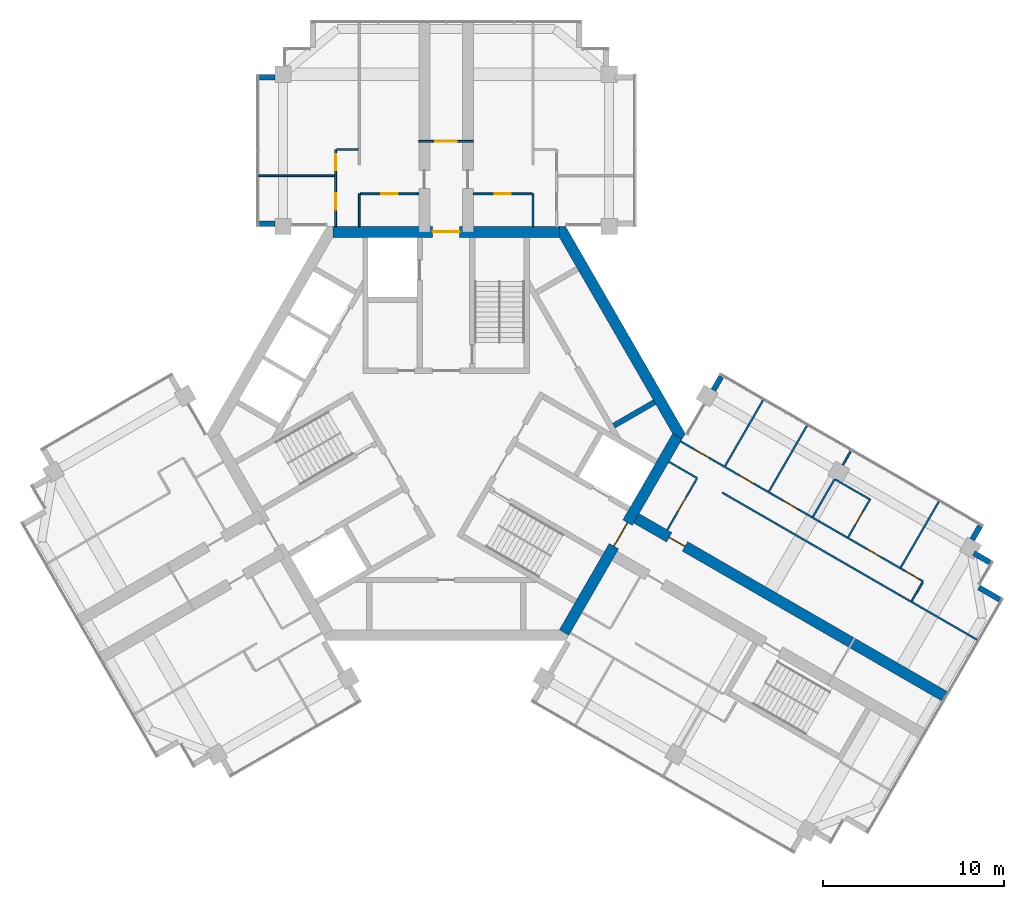
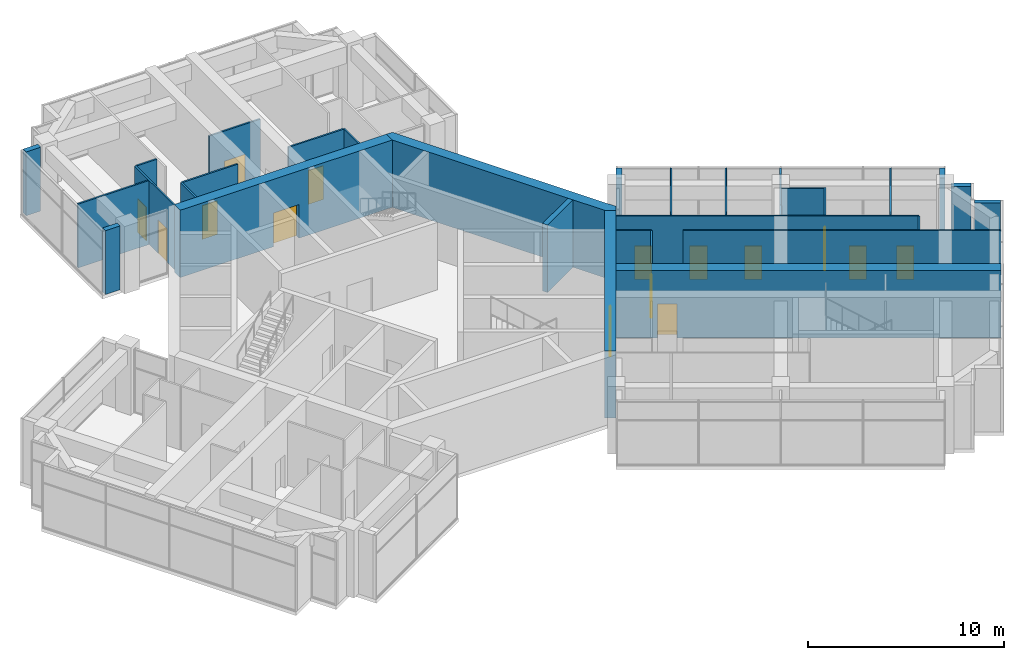
# One storey, part 11 of 13: 31 walls, 15 doors, 15 openings.
"""IFC4 building model written with IfcOpenShell, lengths in metres."""

from ifc_helpers import new_model, si_unit, direction, frame, frame_2d, origin, place, context, subcontext, project, spatial, polyline, rectangle, outline, extrude, material, layer, layer_set, type_object, element, fill, save


model = new_model("IFC4")

# Units and contexts
model_context = context("Model", 3, precision=1e-05, world=origin(), true_north=direction((0.0, 1.0)))
body_context = subcontext(model_context, "Body", "Model", "MODEL_VIEW")
ifc_project = project(units=[si_unit("LENGTHUNIT", "METRE"), si_unit("AREAUNIT", "SQUARE_METRE"), si_unit("VOLUMEUNIT", "CUBIC_METRE"), si_unit("PLANEANGLEUNIT", "RADIAN"), si_unit("MASSUNIT", "GRAM", prefix="KILO")], contexts=[model_context])

# Site, building, storey
site_placement = place(None, origin())
site = spatial("IfcSite", under=ifc_project, at=site_placement, CompositionType="ELEMENT")
building_placement = place(site_placement, origin())
building = spatial("IfcBuilding", under=site, at=building_placement, Name="Impinga Residences", CompositionType="ELEMENT")
storey_placement = place(building_placement, frame((0.0, 0.0, 287.35009765625)))
storey = spatial("IfcBuildingStorey", under=building, at=storey_placement, Name="L72", CompositionType="ELEMENT", Elevation=287.35009765625)

# Wall, opening, door
ifc_material_1 = material(Name="Concrete C60/75", Category="concrete")
ifc_layer_1 = layer(ifc_material_1, 0.60009765625)
ifc_layer_set_1 = layer_set([ifc_layer_1], Name="Concrete C60/75")
wall_type_1 = type_object("IfcWallType", Name="BW3 corridor buttress wall, L46 to L73 600", PredefinedType="SHEAR", material=ifc_layer_set_1)
wall_1_placement = place(storey_placement, frame((10.240234375, -4.526611328125, 0.0), z_axis=(0.0, 0.0, 1.0), x_axis=(0.866025922281, -0.499999101937, 0.0)))
wall_1 = element("IfcWall", 1, at=wall_1_placement, inside=storey, type_object=wall_type_1, Name="Corridor wall BW3 EC L72", PredefinedType="SHEAR", context=body_context, shape_type="SweptSolid", body=[
    extrude(rectangle(XDim=19.93798828125, YDim=0.60009765625, at=frame_2d((9.968994140625, 0.0))), origin(), (0.0, 0.0, 1.0), 4.199951171875),
])
opening_1_placement = place(wall_1_placement, frame((2.39990234375, 0.0, 0.0)))
opening_1 = element("IfcOpeningElement", 2, at=opening_1_placement, cuts=wall_1, Name="Opening D1", PredefinedType="OPENING", context=body_context, shape_type="SweptSolid", body=[
    extrude(rectangle(XDim=1.0, YDim=2.10009765625, at=frame_2d((0.5, 1.050048828125))), frame((0.0, 0.31005859375, 0.0), z_axis=(0.0, -1.0, 0.0), x_axis=(1.0, 0.0, 0.0)), (0.0, 0.0, 1.0), 0.6201171875),
])
ifc_material_2 = material(Name="Timber door set", Category="wood")
door_type_1 = type_object("IfcDoorType", Name="D1 apartment entrance door 1000x2100", OperationType="SINGLE_SWING_LEFT", PredefinedType="DOOR", material=ifc_material_2)
door_1_placement = place(opening_1_placement, origin())
door_1 = element("IfcDoor", 3, at=door_1_placement, inside=storey, type_object=door_type_1, Name="Apartment L72-EA1 entrance", OperationType="SINGLE_SWING_LEFT", OverallHeight=2.10009765625, OverallWidth=1.0, PredefinedType="DOOR", context=body_context, shape_type="SweptSolid", body=[
    extrude(rectangle(XDim=1.0, YDim=2.10009765625, at=frame_2d((0.5, 1.050048828125))), frame((0.0, 0.02490234375, 0.0), z_axis=(0.0, -1.0, 0.0), x_axis=(1.0, 0.0, 0.0)), (0.0, 0.0, 1.0), 0.050048828125),
])
fill(opening_1, door_1)

ifc_material_3 = material(Name="Concrete blockwork", Category="masonry")
ifc_layer_2 = layer(ifc_material_3, 0.10009765625)
ifc_layer_set_2 = layer_set([ifc_layer_2], Name="CP1 core room partition, blockwork 100")
wall_type_2 = type_object("IfcWallType", Name="CP1 core room partition, blockwork 100", PredefinedType="PARTITIONING", material=ifc_layer_set_2)
wall_2_placement = place(storey_placement, frame((-1.5, 16.131591796875, 0.0), z_axis=(0.0, 0.0, 1.0), x_axis=(1.0, 0.0, 0.0)))
wall_2 = element("IfcWall", 4, at=wall_2_placement, inside=storey, type_object=wall_type_2, Name="Core room partition, blockwork L72:N:LNG", PredefinedType="PARTITIONING", context=body_context, shape_type="SweptSolid", body=[
    extrude(rectangle(XDim=3.0, YDim=0.10009765625, at=frame_2d((1.5, 0.0))), origin(), (0.0, 0.0, 1.0), 3.97998046875),
])
opening_2_placement = place(wall_2_placement, frame((0.89990234375, 0.0, 0.0)))
opening_2 = element("IfcOpeningElement", 5, at=opening_2_placement, cuts=wall_2, Name="Opening D3", PredefinedType="OPENING", context=body_context, shape_type="SweptSolid", body=[
    extrude(rectangle(XDim=1.199951171875, YDim=2.10009765625, at=frame_2d((0.60009765625, 1.050048828125))), frame((0.0, 0.06005859375, 0.0), z_axis=(0.0, -1.0, 0.0), x_axis=(1.0, 0.0, 0.0)), (0.0, 0.0, 1.0), 0.1201171875),
])
door_type_2 = type_object("IfcDoorType", Name="D3 room door, leaf and a half 1200x2100", OperationType="DOUBLE_SWING_LEFT", PredefinedType="DOOR", material=ifc_material_2)
door_2_placement = place(opening_2_placement, origin())
door_2 = element("IfcDoor", 6, at=door_2_placement, inside=storey, type_object=door_type_2, Name="Residents' lounge door N", OperationType="DOUBLE_SWING_LEFT", OverallHeight=2.10009765625, OverallWidth=1.199951171875, PredefinedType="DOOR", context=body_context, shape_type="SweptSolid", body=[
    extrude(rectangle(XDim=1.199951171875, YDim=2.10009765625, at=frame_2d((0.60009765625, 1.050048828125))), frame((0.0, 0.02490234375, 0.0), z_axis=(0.0, -1.0, 0.0), x_axis=(1.0, 0.0, 0.0)), (0.0, 0.0, 1.0), 0.050048828125),
])
fill(opening_2, door_2)

# Walls
ifc_material_4 = material(Name="Stone facing on blockwork", Category="masonry")
ifc_layer_3 = layer(ifc_material_4, 0.300048828125)
ifc_layer_set_3 = layer_set([ifc_layer_3], Name="EW2 external wall, stone facing on blockwork 300")
wall_type_3 = type_object("IfcWallType", Name="EW2 external wall, stone facing on blockwork 300", PredefinedType="SOLIDWALL", material=ifc_layer_set_3)
wall_3_placement = place(storey_placement, frame((29.476806640625, -5.107666015625, 0.0), z_axis=(0.0, 0.0, 1.0), x_axis=(-0.499885902046, -0.866091268248, 0.0)))
element("IfcWall", 7, at=wall_3_placement, inside=storey, type_object=wall_type_3, Name="External wall EW2 L72", PredefinedType="SOLIDWALL", context=body_context, shape_type="SweptSolid", body=[
    extrude(rectangle(XDim=0.862060546875, YDim=0.300048828125, at=frame_2d((0.43115234375, 0.0))), origin(), (0.0, 0.0, 1.0), 3.97998046875),
])
wall_4_placement = place(storey_placement, frame((29.134033203125, -6.6015625, 0.0), z_axis=(0.0, 0.0, 1.0), x_axis=(0.866073420066, -0.499916824138, 0.0)))
element("IfcWall", 8, at=wall_4_placement, inside=storey, type_object=wall_type_3, Name="External wall EW2 L72", PredefinedType="SOLIDWALL", context=body_context, shape_type="SweptSolid", body=[
    extrude(rectangle(XDim=1.014892578125, YDim=0.300048828125, at=frame_2d((0.50732421875, 0.0))), origin(), (0.0, 0.0, 1.0), 3.97998046875),
])
wall_5_placement = place(storey_placement, frame((29.41015625, -8.492919921875, 0.0), z_axis=(0.0, 0.0, 1.0), x_axis=(0.866020521143, -0.500008456887, 0.0)))
element("IfcWall", 9, at=wall_5_placement, inside=storey, type_object=wall_type_3, Name="External wall EW2 L72", PredefinedType="SOLIDWALL", context=body_context, shape_type="SweptSolid", body=[
    extrude(rectangle(XDim=1.330078125, YDim=0.300048828125, at=frame_2d((0.6650390625, 0.0))), origin(), (0.0, 0.0, 1.0), 3.97998046875),
])
for number, where, z_axis, x_axis, name in (
    (10, (-9.452880859375, 11.58154296875, 0.0), (0.0, 0.0, 1.0), (-1.0, 0.0, 0.0), "External wall EW2 L72"),
    (11, (-10.31494140625, 19.681640625, 0.0), (0.0, 0.0, 1.0), (1.0, 0.0, 0.0), "External wall EW2 L72"),
    (12, (14.75634765625, 2.395751953125, 0.0), (0.0, 0.0, 1.0), (0.500098305348, 0.865968639725, 0.0), "External wall EW2 L72"),
):
    element("IfcWall", number, at=place(storey_placement, frame(where, z_axis=z_axis, x_axis=x_axis)), inside=storey, type_object=wall_type_3, Name=name, PredefinedType="SOLIDWALL", context=body_context, shape_type="SweptSolid", body=[
        extrude(rectangle(XDim=0.862060546875, YDim=0.300048828125, at=frame_2d((0.43115234375, 0.0))), origin(), (0.0, 0.0, 1.0), 3.97998046875),
    ])
ifc_material_5 = material(Name="Gypsum board on steel studs", Category="steel")
ifc_layer_4 = layer(ifc_material_5, 0.10009765625)
ifc_layer_set_4 = layer_set([ifc_layer_4], Name="Gypsum board on steel studs")
wall_type_4 = type_object("IfcWallType", Name="IP1 partition 100", PredefinedType="PARTITIONING", material=ifc_layer_set_4)
wall_6_placement = place(storey_placement, frame((-4.800048828125, 11.431640625, 0.0), z_axis=(0.0, 0.0, 1.0), x_axis=(0.0, 1.0, 0.0)))
element("IfcWall", 13, at=wall_6_placement, inside=storey, type_object=wall_type_4, Name="Partition L72-NA1:DIV0", PredefinedType="PARTITIONING", context=body_context, shape_type="SweptSolid", body=[
    extrude(rectangle(XDim=1.7998046875, YDim=0.10009765625, at=frame_2d((0.89990234375, 0.0))), origin(), (0.0, 0.0, 1.0), 3.97998046875),
])

# Wall, openings, doors
wall_7_placement = place(storey_placement, frame((-6.10009765625, 11.431640625, 0.0), z_axis=(0.0, 0.0, 1.0), x_axis=(0.0, 1.0, 0.0)))
wall_7 = element("IfcWall", 14, at=wall_7_placement, inside=storey, type_object=wall_type_4, Name="Partition L72-NA1:STRIP", PredefinedType="PARTITIONING", context=body_context, shape_type="SweptSolid", body=[
    extrude(rectangle(XDim=4.25, YDim=0.10009765625, at=frame_2d((2.125, 0.0))), origin(), (0.0, 0.0, 1.0), 3.97998046875),
])
opening_3_placement = place(wall_7_placement, frame((0.925048828125, 0.0, 0.0)))
opening_3 = element("IfcOpeningElement", 15, at=opening_3_placement, cuts=wall_7, Name="Opening D2", PredefinedType="OPENING", context=body_context, shape_type="SweptSolid", body=[
    extrude(rectangle(XDim=0.89990234375, YDim=2.10009765625, at=frame_2d((0.449951171875, 1.050048828125))), frame((0.0, 0.06005859375, 0.0), z_axis=(0.0, -1.0, 0.0), x_axis=(1.0, 0.0, 0.0)), (0.0, 0.0, 1.0), 0.1201171875),
])
opening_4_placement = place(wall_7_placement, frame((3.10009765625, 0.0, 0.0)))
opening_4 = element("IfcOpeningElement", 16, at=opening_4_placement, cuts=wall_7, Name="Opening D2", PredefinedType="OPENING", context=body_context, shape_type="SweptSolid", body=[
    extrude(rectangle(XDim=0.89990234375, YDim=2.10009765625, at=frame_2d((0.449951171875, 1.050048828125))), frame((0.0, 0.06005859375, 0.0), z_axis=(0.0, -1.0, 0.0), x_axis=(1.0, 0.0, 0.0)), (0.0, 0.0, 1.0), 0.1201171875),
])
door_type_3 = type_object("IfcDoorType", Name="D2 internal door 900x2100", OperationType="SINGLE_SWING_LEFT", PredefinedType="DOOR", material=ifc_material_2)
door_3_placement = place(opening_3_placement, origin())
door_3 = element("IfcDoor", 17, at=door_3_placement, inside=storey, type_object=door_type_3, Name="Apartment L72-NA1 room door", OperationType="SINGLE_SWING_LEFT", OverallHeight=2.10009765625, OverallWidth=0.89990234375, PredefinedType="DOOR", context=body_context, shape_type="SweptSolid", body=[
    extrude(rectangle(XDim=0.89990234375, YDim=2.10009765625, at=frame_2d((0.449951171875, 1.050048828125))), frame((0.0, 0.02490234375, 0.0), z_axis=(0.0, -1.0, 0.0), x_axis=(1.0, 0.0, 0.0)), (0.0, 0.0, 1.0), 0.050048828125),
])
fill(opening_3, door_3)
door_4_placement = place(opening_4_placement, origin())
door_4 = element("IfcDoor", 18, at=door_4_placement, inside=storey, type_object=door_type_3, Name="Apartment L72-NA1 room door", OperationType="SINGLE_SWING_RIGHT", OverallHeight=2.10009765625, OverallWidth=0.89990234375, PredefinedType="DOOR", context=body_context, shape_type="SweptSolid", body=[
    extrude(rectangle(XDim=0.89990234375, YDim=2.10009765625, at=frame_2d((0.449951171875, 1.050048828125))), frame((0.0, 0.02490234375, 0.0), z_axis=(0.0, -1.0, 0.0), x_axis=(1.0, 0.0, 0.0)), (0.0, 0.0, 1.0), 0.050048828125),
])
fill(opening_4, door_4)

# Wall
wall_8_placement = place(storey_placement, frame((-4.85009765625, 15.681640625, 0.0), z_axis=(0.0, 0.0, 1.0), x_axis=(-1.0, 0.0, 0.0)))
element("IfcWall", 19, at=wall_8_placement, inside=storey, type_object=wall_type_4, Name="Partition L72-NA1:SE1", PredefinedType="PARTITIONING", context=body_context, shape_type="SweptSolid", body=[
    extrude(rectangle(XDim=1.199951171875, YDim=0.10009765625, at=frame_2d((0.60009765625, 0.0))), origin(), (0.0, 0.0, 1.0), 3.97998046875),
])

# Wall, opening, door
wall_9_placement = place(storey_placement, frame((-1.5, 13.2314453125, 0.0), z_axis=(0.0, 0.0, 1.0), x_axis=(-1.0, 0.0, 0.0)))
wall_9 = element("IfcWall", 20, at=wall_9_placement, inside=storey, type_object=wall_type_4, Name="Partition L72-NA1:IB1", PredefinedType="PARTITIONING", context=body_context, shape_type="SweptSolid", body=[
    extrude(rectangle(XDim=3.25, YDim=0.10009765625, at=frame_2d((1.625, 0.0))), origin(), (0.0, 0.0, 1.0), 3.97998046875),
])
opening_5_placement = place(wall_9_placement, frame((1.175048828125, 0.0, 0.0)))
opening_5 = element("IfcOpeningElement", 21, at=opening_5_placement, cuts=wall_9, Name="Opening D2", PredefinedType="OPENING", context=body_context, shape_type="SweptSolid", body=[
    extrude(rectangle(XDim=0.89990234375, YDim=2.10009765625, at=frame_2d((0.449951171875, 1.050048828125))), frame((0.0, 0.06005859375, 0.0), z_axis=(0.0, -1.0, 0.0), x_axis=(1.0, 0.0, 0.0)), (0.0, 0.0, 1.0), 0.1201171875),
])
door_5_placement = place(opening_5_placement, origin())
door_5 = element("IfcDoor", 22, at=door_5_placement, inside=storey, type_object=door_type_3, Name="Apartment L72-NA1 bathroom door", OperationType="SINGLE_SWING_LEFT", OverallHeight=2.10009765625, OverallWidth=0.89990234375, PredefinedType="DOOR", context=body_context, shape_type="SweptSolid", body=[
    extrude(rectangle(XDim=0.89990234375, YDim=2.10009765625, at=frame_2d((0.449951171875, 1.050048828125))), frame((0.0, 0.02490234375, 0.0), z_axis=(0.0, -1.0, 0.0), x_axis=(1.0, 0.0, 0.0)), (0.0, 0.0, 1.0), 0.050048828125),
])
fill(opening_5, door_5)

# Walls
wall_10_placement = place(storey_placement, frame((-6.14990234375, 14.2314453125, 0.0), z_axis=(0.0, 0.0, 1.0), x_axis=(-1.0, 0.0, 0.0)))
element("IfcWall", 23, at=wall_10_placement, inside=storey, type_object=wall_type_4, Name="Partition L72-NA1:OB1", PredefinedType="PARTITIONING", context=body_context, shape_type="SweptSolid", body=[
    extrude(rectangle(XDim=4.18701171875, YDim=0.10009765625, at=frame_2d((2.093505859375, 0.0))), origin(), (0.0, 0.0, 1.0), 3.97998046875),
])
wall_11_placement = place(storey_placement, frame((4.800048828125, 11.431640625, 0.0), z_axis=(0.0, 0.0, 1.0), x_axis=(0.0, 1.0, 0.0)))
element("IfcWall", 24, at=wall_11_placement, inside=storey, type_object=wall_type_4, Name="Partition L72-NF1:DIV0", PredefinedType="PARTITIONING", context=body_context, shape_type="SweptSolid", body=[
    extrude(rectangle(XDim=1.7998046875, YDim=0.10009765625, at=frame_2d((0.89990234375, 0.0))), origin(), (0.0, 0.0, 1.0), 3.97998046875),
])

# Wall, opening, door
wall_12_placement = place(storey_placement, frame((1.5, 13.2314453125, 0.0), z_axis=(0.0, 0.0, 1.0), x_axis=(1.0, 0.0, 0.0)))
wall_12 = element("IfcWall", 25, at=wall_12_placement, inside=storey, type_object=wall_type_4, Name="Partition L72-NF1:IB1", PredefinedType="PARTITIONING", context=body_context, shape_type="SweptSolid", body=[
    extrude(rectangle(XDim=3.25, YDim=0.10009765625, at=frame_2d((1.625, 0.0))), origin(), (0.0, 0.0, 1.0), 3.97998046875),
])
opening_6_placement = place(wall_12_placement, frame((1.175048828125, 0.0, 0.0)))
opening_6 = element("IfcOpeningElement", 26, at=opening_6_placement, cuts=wall_12, Name="Opening D2", PredefinedType="OPENING", context=body_context, shape_type="SweptSolid", body=[
    extrude(rectangle(XDim=0.89990234375, YDim=2.10009765625, at=frame_2d((0.449951171875, 1.050048828125))), frame((0.0, 0.06005859375, 0.0), z_axis=(0.0, -1.0, 0.0), x_axis=(1.0, 0.0, 0.0)), (0.0, 0.0, 1.0), 0.1201171875),
])
door_6_placement = place(opening_6_placement, origin())
door_6 = element("IfcDoor", 27, at=door_6_placement, inside=storey, type_object=door_type_3, Name="Apartment L72-NF1 bathroom door", OperationType="SINGLE_SWING_LEFT", OverallHeight=2.10009765625, OverallWidth=0.89990234375, PredefinedType="DOOR", context=body_context, shape_type="SweptSolid", body=[
    extrude(rectangle(XDim=0.89990234375, YDim=2.10009765625, at=frame_2d((0.449951171875, 1.050048828125))), frame((0.0, 0.02490234375, 0.0), z_axis=(0.0, -1.0, 0.0), x_axis=(1.0, 0.0, 0.0)), (0.0, 0.0, 1.0), 0.050048828125),
])
fill(opening_6, door_6)

# Walls
wall_13_placement = place(storey_placement, frame((12.300048828125, -1.558837890625, 0.0), z_axis=(0.0, 0.0, 1.0), x_axis=(0.866047807691, -0.499961193289, 0.0)))
element("IfcWall", 28, at=wall_13_placement, inside=storey, type_object=wall_type_4, Name="Partition L72-EA1:DIV0", PredefinedType="PARTITIONING", context=body_context, shape_type="SweptSolid", body=[
    extrude(rectangle(XDim=1.800048828125, YDim=0.10009765625, at=frame_2d((0.89990234375, 0.0))), origin(), (0.0, 0.0, 1.0), 3.97998046875),
])
wall_14_placement = place(storey_placement, frame((15.244384765625, -3.2587890625, 0.0), z_axis=(0.0, 0.0, 1.0), x_axis=(0.866023082401, -0.500004020733, 0.0)))
element("IfcWall", 29, at=wall_14_placement, inside=storey, type_object=wall_type_4, Name="Partition L72-EA1:DIV1", PredefinedType="PARTITIONING", context=body_context, shape_type="SweptSolid", body=[
    extrude(rectangle(XDim=16.237060546875, YDim=0.10009765625, at=frame_2d((8.11865234375, 0.0))), origin(), (0.0, 0.0, 1.0), 3.97998046875),
])

# Wall, openings, doors
wall_15_placement = place(storey_placement, frame((12.949951171875, -0.43310546875, 0.0), z_axis=(0.0, 0.0, 1.0), x_axis=(0.866030066916, -0.499991923133, 0.0)))
wall_15 = element("IfcWall", 30, at=wall_15_placement, inside=storey, type_object=wall_type_4, Name="Partition L72-EA1:STRIP", PredefinedType="PARTITIONING", context=body_context, shape_type="SweptSolid", body=[
    extrude(rectangle(XDim=15.449951171875, YDim=0.10009765625, at=frame_2d((7.72509765625, 0.0))), origin(), (0.0, 0.0, 1.0), 3.97998046875),
])
opening_7_placement = place(wall_15_placement, frame((0.925048828125, 0.0, 0.0)))
opening_7 = element("IfcOpeningElement", 31, at=opening_7_placement, cuts=wall_15, Name="Opening D2", PredefinedType="OPENING", context=body_context, shape_type="SweptSolid", body=[
    extrude(rectangle(XDim=0.89990234375, YDim=2.10009765625, at=frame_2d((0.449951171875, 1.050048828125))), frame((0.0, 0.06005859375, 0.0), z_axis=(0.0, -1.0, 0.0), x_axis=(1.0, 0.0, 0.0)), (0.0, 0.0, 1.0), 0.1201171875),
])
opening_8_placement = place(wall_15_placement, frame((3.75, 0.0, 0.0)))
opening_8 = element("IfcOpeningElement", 32, at=opening_8_placement, cuts=wall_15, Name="Opening D2", PredefinedType="OPENING", context=body_context, shape_type="SweptSolid", body=[
    extrude(rectangle(XDim=0.89990234375, YDim=2.10009765625, at=frame_2d((0.449951171875, 1.050048828125))), frame((0.0, 0.06005859375, 0.0), z_axis=(0.0, -1.0, 0.0), x_axis=(1.0, 0.0, 0.0)), (0.0, 0.0, 1.0), 0.1201171875),
])
opening_9_placement = place(wall_15_placement, frame((6.550048828125, 0.0, 0.0)))
opening_9 = element("IfcOpeningElement", 33, at=opening_9_placement, cuts=wall_15, Name="Opening D2", PredefinedType="OPENING", context=body_context, shape_type="SweptSolid", body=[
    extrude(rectangle(XDim=0.89990234375, YDim=2.10009765625, at=frame_2d((0.449951171875, 1.050048828125))), frame((0.0, 0.06005859375, 0.0), z_axis=(0.0, -1.0, 0.0), x_axis=(1.0, 0.0, 0.0)), (0.0, 0.0, 1.0), 0.1201171875),
])
opening_10_placement = place(wall_15_placement, frame((11.875, 0.0, 0.0)))
opening_10 = element("IfcOpeningElement", 34, at=opening_10_placement, cuts=wall_15, Name="Opening D2", PredefinedType="OPENING", context=body_context, shape_type="SweptSolid", body=[
    extrude(rectangle(XDim=0.89990234375, YDim=2.10009765625, at=frame_2d((0.449951171875, 1.050048828125))), frame((0.0, 0.06005859375, 0.0), z_axis=(0.0, -1.0, 0.0), x_axis=(1.0, 0.0, 0.0)), (0.0, 0.0, 1.0), 0.1201171875),
])
opening_11_placement = place(wall_15_placement, frame((14.300048828125, 0.0, 0.0)))
opening_11 = element("IfcOpeningElement", 35, at=opening_11_placement, cuts=wall_15, Name="Opening D2", PredefinedType="OPENING", context=body_context, shape_type="SweptSolid", body=[
    extrude(rectangle(XDim=0.89990234375, YDim=2.10009765625, at=frame_2d((0.449951171875, 1.050048828125))), frame((0.0, 0.06005859375, 0.0), z_axis=(0.0, -1.0, 0.0), x_axis=(1.0, 0.0, 0.0)), (0.0, 0.0, 1.0), 0.1201171875),
])
door_7_placement = place(opening_7_placement, origin())
door_7 = element("IfcDoor", 36, at=door_7_placement, inside=storey, type_object=door_type_3, Name="Apartment L72-EA1 room door", OperationType="SINGLE_SWING_LEFT", OverallHeight=2.10009765625, OverallWidth=0.89990234375, PredefinedType="DOOR", context=body_context, shape_type="SweptSolid", body=[
    extrude(rectangle(XDim=0.89990234375, YDim=2.10009765625, at=frame_2d((0.449951171875, 1.050048828125))), frame((0.0, 0.02490234375, 0.0), z_axis=(0.0, -1.0, 0.0), x_axis=(1.0, 0.0, 0.0)), (0.0, 0.0, 1.0), 0.050048828125),
])
fill(opening_7, door_7)
door_8_placement = place(opening_8_placement, origin())
door_8 = element("IfcDoor", 37, at=door_8_placement, inside=storey, type_object=door_type_3, Name="Apartment L72-EA1 room door", OperationType="SINGLE_SWING_LEFT", OverallHeight=2.10009765625, OverallWidth=0.89990234375, PredefinedType="DOOR", context=body_context, shape_type="SweptSolid", body=[
    extrude(rectangle(XDim=0.89990234375, YDim=2.10009765625, at=frame_2d((0.449951171875, 1.050048828125))), frame((0.0, 0.02490234375, 0.0), z_axis=(0.0, -1.0, 0.0), x_axis=(1.0, 0.0, 0.0)), (0.0, 0.0, 1.0), 0.050048828125),
])
fill(opening_8, door_8)
door_9_placement = place(opening_9_placement, origin())
door_9 = element("IfcDoor", 38, at=door_9_placement, inside=storey, type_object=door_type_3, Name="Apartment L72-EA1 room door", OperationType="SINGLE_SWING_LEFT", OverallHeight=2.10009765625, OverallWidth=0.89990234375, PredefinedType="DOOR", context=body_context, shape_type="SweptSolid", body=[
    extrude(rectangle(XDim=0.89990234375, YDim=2.10009765625, at=frame_2d((0.449951171875, 1.050048828125))), frame((0.0, 0.02490234375, 0.0), z_axis=(0.0, -1.0, 0.0), x_axis=(1.0, 0.0, 0.0)), (0.0, 0.0, 1.0), 0.050048828125),
])
fill(opening_9, door_9)
door_10_placement = place(opening_10_placement, origin())
door_10 = element("IfcDoor", 39, at=door_10_placement, inside=storey, type_object=door_type_3, Name="Apartment L72-EA1 room door", OperationType="SINGLE_SWING_RIGHT", OverallHeight=2.10009765625, OverallWidth=0.89990234375, PredefinedType="DOOR", context=body_context, shape_type="SweptSolid", body=[
    extrude(rectangle(XDim=0.89990234375, YDim=2.10009765625, at=frame_2d((0.449951171875, 1.050048828125))), frame((0.0, 0.02490234375, 0.0), z_axis=(0.0, -1.0, 0.0), x_axis=(1.0, 0.0, 0.0)), (0.0, 0.0, 1.0), 0.050048828125),
])
fill(opening_10, door_10)
door_11_placement = place(opening_11_placement, origin())
door_11 = element("IfcDoor", 40, at=door_11_placement, inside=storey, type_object=door_type_3, Name="Apartment L72-EA1 room door", OperationType="SINGLE_SWING_RIGHT", OverallHeight=2.10009765625, OverallWidth=0.89990234375, PredefinedType="DOOR", context=body_context, shape_type="SweptSolid", body=[
    extrude(rectangle(XDim=0.89990234375, YDim=2.10009765625, at=frame_2d((0.449951171875, 1.050048828125))), frame((0.0, 0.02490234375, 0.0), z_axis=(0.0, -1.0, 0.0), x_axis=(1.0, 0.0, 0.0)), (0.0, 0.0, 1.0), 0.050048828125),
])
fill(opening_11, door_11)

# Wall
wall_16_placement = place(storey_placement, frame((25.705078125, -9.240478515625, 0.0), z_axis=(0.0, 0.0, 1.0), x_axis=(0.50012165622, 0.865955154139, 0.0)))
element("IfcWall", 41, at=wall_16_placement, inside=storey, type_object=wall_type_4, Name="Partition L72-EA1:SE1", PredefinedType="PARTITIONING", context=body_context, shape_type="SweptSolid", body=[
    extrude(rectangle(XDim=1.199951171875, YDim=0.10009765625, at=frame_2d((0.60009765625, 0.0))), origin(), (0.0, 0.0, 1.0), 3.97998046875),
])

# Wall, opening, door
wall_17_placement = place(storey_placement, frame((12.208740234375, -5.316650390625, 0.0), z_axis=(0.0, 0.0, 1.0), x_axis=(0.500017246033, 0.866015446554, 0.0)))
wall_17 = element("IfcWall", 42, at=wall_17_placement, inside=storey, type_object=wall_type_4, Name="Partition L72-EA1:IB1", PredefinedType="PARTITIONING", context=body_context, shape_type="SweptSolid", body=[
    extrude(rectangle(XDim=3.25, YDim=0.10009765625, at=frame_2d((1.625, 0.0))), origin(), (0.0, 0.0, 1.0), 3.97998046875),
])
opening_12_placement = place(wall_17_placement, frame((1.175048828125, 0.0, 0.0)))
opening_12 = element("IfcOpeningElement", 43, at=opening_12_placement, cuts=wall_17, Name="Opening D2", PredefinedType="OPENING", context=body_context, shape_type="SweptSolid", body=[
    extrude(rectangle(XDim=0.89990234375, YDim=2.10009765625, at=frame_2d((0.449951171875, 1.050048828125))), frame((0.0, 0.06005859375, 0.0), z_axis=(0.0, -1.0, 0.0), x_axis=(1.0, 0.0, 0.0)), (0.0, 0.0, 1.0), 0.1201171875),
])
door_12_placement = place(opening_12_placement, origin())
door_12 = element("IfcDoor", 44, at=door_12_placement, inside=storey, type_object=door_type_3, Name="Apartment L72-EA1 bathroom door", OperationType="SINGLE_SWING_LEFT", OverallHeight=2.10009765625, OverallWidth=0.89990234375, PredefinedType="DOOR", context=body_context, shape_type="SweptSolid", body=[
    extrude(rectangle(XDim=0.89990234375, YDim=2.10009765625, at=frame_2d((0.449951171875, 1.050048828125))), frame((0.0, 0.02490234375, 0.0), z_axis=(0.0, -1.0, 0.0), x_axis=(1.0, 0.0, 0.0)), (0.0, 0.0, 1.0), 0.050048828125),
])
fill(opening_12, door_12)

# Walls
wall_18_placement = place(storey_placement, frame((15.39990234375, -1.789794921875, 0.0), z_axis=(0.0, 0.0, 1.0), x_axis=(0.499983227221, 0.866035087336, 0.0)))
element("IfcWall", 45, at=wall_18_placement, inside=storey, type_object=wall_type_4, Name="Partition L72-EA1:OB1", PredefinedType="PARTITIONING", context=body_context, shape_type="SweptSolid", body=[
    extrude(rectangle(XDim=4.187255859375, YDim=0.10009765625, at=frame_2d((2.09375, 0.0))), origin(), (0.0, 0.0, 1.0), 3.97998046875),
])
wall_19_placement = place(storey_placement, frame((17.82470703125, -3.189697265625, 0.0), z_axis=(0.0, 0.0, 1.0), x_axis=(0.500008475426, 0.86602051044, 0.0)))
element("IfcWall", 46, at=wall_19_placement, inside=storey, type_object=wall_type_4, Name="Partition L72-EA1:OB2", PredefinedType="PARTITIONING", context=body_context, shape_type="SweptSolid", body=[
    extrude(rectangle(XDim=4.18701171875, YDim=0.10009765625, at=frame_2d((2.093505859375, 0.0))), origin(), (0.0, 0.0, 1.0), 3.97998046875),
])
wall_20_placement = place(storey_placement, frame((20.24951171875, -4.589599609375, 0.0), z_axis=(0.0, 0.0, 1.0), x_axis=(0.500077600433, 0.865980596518, 0.0)))
element("IfcWall", 47, at=wall_20_placement, inside=storey, type_object=wall_type_4, Name="Partition L72-EA1:OB3", PredefinedType="PARTITIONING", context=body_context, shape_type="SweptSolid", body=[
    extrude(rectangle(XDim=2.39990234375, YDim=0.10009765625, at=frame_2d((1.199951171875, 0.0))), origin(), (0.0, 0.0, 1.0), 2.929931640625),
])
wall_21_placement = place(storey_placement, frame((21.899658203125, -1.73193359375, 0.0), z_axis=(0.0, 0.0, 1.0), x_axis=(0.499803706212, 0.866138704398, 0.0)))
element("IfcWall", 48, at=wall_21_placement, inside=storey, type_object=wall_type_4, Name="Partition L72-EA1:OB3b", PredefinedType="PARTITIONING", context=body_context, shape_type="SweptSolid", body=[
    extrude(rectangle(XDim=0.866943359375, YDim=0.10009765625, at=frame_2d((0.43359375, 0.0))), origin(), (0.0, 0.0, 1.0), 3.97998046875),
])
wall_22_placement = place(storey_placement, frame((25.099365234375, -7.3896484375, 0.0), z_axis=(0.0, 0.0, 1.0), x_axis=(0.500008475426, 0.86602051044, 0.0)))
element("IfcWall", 49, at=wall_22_placement, inside=storey, type_object=wall_type_4, Name="Partition L72-EA1:OB4", PredefinedType="PARTITIONING", context=body_context, shape_type="SweptSolid", body=[
    extrude(rectangle(XDim=4.18701171875, YDim=0.10009765625, at=frame_2d((2.093505859375, 0.0))), origin(), (0.0, 0.0, 1.0), 3.97998046875),
])

# Wall, opening, door
wall_23_placement = place(storey_placement, frame((22.1982421875, -5.714599609375, 0.0), z_axis=(0.0, 0.0, 1.0), x_axis=(0.499987006516, 0.866032905446, 0.0)))
wall_23 = element("IfcWall", 50, at=wall_23_placement, inside=storey, type_object=wall_type_4, Name="Partition L72-EA1:EN1", PredefinedType="PARTITIONING", context=body_context, shape_type="SweptSolid", body=[
    extrude(rectangle(XDim=2.44970703125, YDim=0.10009765625, at=frame_2d((1.224853515625, 0.0))), origin(), (0.0, 0.0, 1.0), 3.97998046875),
])
opening_13_placement = place(wall_23_placement, frame((0.75, 0.0, 0.0)))
opening_13 = element("IfcOpeningElement", 51, at=opening_13_placement, cuts=wall_23, Name="Opening D2", PredefinedType="OPENING", context=body_context, shape_type="SweptSolid", body=[
    extrude(rectangle(XDim=0.89990234375, YDim=2.10009765625, at=frame_2d((0.449951171875, 1.050048828125))), frame((0.0, 0.06005859375, 0.0), z_axis=(0.0, -1.0, 0.0), x_axis=(1.0, 0.0, 0.0)), (0.0, 0.0, 1.0), 0.1201171875),
])
door_13_placement = place(opening_13_placement, origin())
door_13 = element("IfcDoor", 52, at=door_13_placement, inside=storey, type_object=door_type_3, Name="Apartment L72-EA1 en-suite door", OperationType="SINGLE_SWING_LEFT", OverallHeight=2.10009765625, OverallWidth=0.89990234375, PredefinedType="DOOR", context=body_context, shape_type="SweptSolid", body=[
    extrude(rectangle(XDim=0.89990234375, YDim=2.10009765625, at=frame_2d((0.449951171875, 1.050048828125))), frame((0.0, 0.02490234375, 0.0), z_axis=(0.0, -1.0, 0.0), x_axis=(1.0, 0.0, 0.0)), (0.0, 0.0, 1.0), 0.050048828125),
])
fill(opening_13, door_13)

# Wall
wall_24_placement = place(storey_placement, frame((21.492919921875, -2.5361328125, 0.0), z_axis=(0.0, 0.0, 1.0), x_axis=(0.865998386012, -0.500046793234, 0.0)))
element("IfcWall", 53, at=wall_24_placement, inside=storey, type_object=wall_type_4, Name="Partition L72-EA1:EN2", PredefinedType="PARTITIONING", context=body_context, shape_type="SweptSolid", body=[
    extrude(rectangle(XDim=2.150146484375, YDim=0.10009765625, at=frame_2d((1.0751953125, 0.0))), origin(), (0.0, 0.0, 1.0), 3.97998046875),
])

# Wall, opening, door
ifc_layer_5 = layer(ifc_material_1, 0.60009765625)
ifc_layer_set_5 = layer_set([ifc_layer_5], Name="Concrete C60/75")
wall_type_5 = type_object("IfcWallType", Name="SW4 core wall, crown 600", PredefinedType="SHEAR", material=ifc_layer_set_5)
wall_25_placement = place(storey_placement, frame((-6.253662109375, 11.131591796875, 0.0), z_axis=(0.0, 0.0, 1.0), x_axis=(1.0, 0.0, 0.0)))
wall_25 = element("IfcWall", 54, at=wall_25_placement, inside=storey, type_object=wall_type_5, Name="Core wall SW4 N:FACE L72", PredefinedType="SHEAR", context=body_context, shape_type="SweptSolid", body=[
    extrude(rectangle(XDim=12.50732421875, YDim=0.60009765625, at=frame_2d((6.253662109375, 0.0))), origin(), (0.0, 0.0, 1.0), 4.199951171875),
])
opening_14_placement = place(wall_25_placement, frame((5.503662109375, 0.0, 0.0)))
opening_14 = element("IfcOpeningElement", 55, at=opening_14_placement, cuts=wall_25, Name="Opening D4", PredefinedType="OPENING", context=body_context, shape_type="SweptSolid", body=[
    extrude(rectangle(XDim=1.5, YDim=2.10009765625, at=frame_2d((0.75, 1.050048828125))), frame((0.0, 0.31005859375, 0.0), z_axis=(0.0, -1.0, 0.0), x_axis=(1.0, 0.0, 0.0)), (0.0, 0.0, 1.0), 0.6201171875),
])
door_type_4 = type_object("IfcDoorType", Name="D4 lobby door pair 1500x2100", OperationType="DOUBLE_DOOR_DOUBLE_SWING", PredefinedType="DOOR", material=ifc_material_2)
door_14_placement = place(opening_14_placement, origin())
door_14 = element("IfcDoor", 56, at=door_14_placement, inside=storey, type_object=door_type_4, Name="Lobby door N", OperationType="DOUBLE_DOOR_DOUBLE_SWING", OverallHeight=2.10009765625, OverallWidth=1.5, PredefinedType="DOOR", context=body_context, shape_type="SweptSolid", body=[
    extrude(rectangle(XDim=1.5, YDim=2.10009765625, at=frame_2d((0.75, 1.050048828125))), frame((0.0, 0.02490234375, 0.0), z_axis=(0.0, -1.0, 0.0), x_axis=(1.0, 0.0, 0.0)), (0.0, 0.0, 1.0), 0.050048828125),
])
fill(opening_14, door_14)

wall_26_placement = place(storey_placement, frame((12.76708984375, -0.14990234375, 0.0), z_axis=(0.0, 0.0, 1.0), x_axis=(-0.500004069281, -0.866023054371, 0.0)))
wall_26 = element("IfcWall", 57, at=wall_26_placement, inside=storey, type_object=wall_type_5, Name="Core wall SW4 E:FACE L72", PredefinedType="SHEAR", context=body_context, shape_type="SweptSolid", body=[
    extrude(rectangle(XDim=12.50732421875, YDim=0.60009765625, at=frame_2d((6.253662109375, 0.0))), origin(), (0.0, 0.0, 1.0), 4.199951171875),
])
opening_15_placement = place(wall_26_placement, frame((5.503662109375, 0.0, 0.0)))
opening_15 = element("IfcOpeningElement", 58, at=opening_15_placement, cuts=wall_26, Name="Opening D4", PredefinedType="OPENING", context=body_context, shape_type="SweptSolid", body=[
    extrude(rectangle(XDim=1.5, YDim=2.10009765625, at=frame_2d((0.75, 1.050048828125))), frame((0.0, 0.31005859375, 0.0), z_axis=(0.0, -1.0, 0.0), x_axis=(1.0, 0.0, 0.0)), (0.0, 0.0, 1.0), 0.6201171875),
])
door_15_placement = place(opening_15_placement, origin())
door_15 = element("IfcDoor", 59, at=door_15_placement, inside=storey, type_object=door_type_4, Name="Lobby door E", OperationType="DOUBLE_DOOR_DOUBLE_SWING", OverallHeight=2.10009765625, OverallWidth=1.5, PredefinedType="DOOR", context=body_context, shape_type="SweptSolid", body=[
    extrude(rectangle(XDim=1.5, YDim=2.10009765625, at=frame_2d((0.75, 1.050048828125))), frame((0.0, 0.02490234375, 0.0), z_axis=(0.0, -1.0, 0.0), x_axis=(1.0, 0.0, 0.0)), (0.0, 0.0, 1.0), 0.050048828125),
])
fill(opening_15, door_15)

# Walls
wall_27_placement = place(storey_placement, origin())
element("IfcWall", 60, at=wall_27_placement, inside=storey, type_object=wall_type_5, Name="Core wall SW4 W:EXPOSED L72", PredefinedType="SHEAR", context=body_context, shape_type="SweptSolid", body=[
    extrude(outline(polyline([(13.199951171875, 0.0), (6.60009765625, 11.431640625), (6.253662109375, 11.431640625), (6.253662109375, 10.83154296875), (12.507080078125, 0.0), (13.02685546875, -0.300048828125), (13.199951171875, 0.0)])), origin(), (0.0, 0.0, 1.0), 4.199951171875),
])
ifc_material_6 = material(Name="Concrete C70/85", Category="concrete")
ifc_layer_6 = layer(ifc_material_6, 0.300048828125)
ifc_layer_set_6 = layer_set([ifc_layer_6], Name="Concrete C70/85")
wall_type_6 = type_object("IfcWallType", Name="SW5 core inner wall, stairs, shafts and lobbies 300", PredefinedType="SHEAR", material=ifc_layer_set_6)
wall_28_placement = place(storey_placement, frame((9.253662109375, 0.43505859375, 0.0), z_axis=(0.0, 0.0, 1.0), x_axis=(0.866021400173, 0.500006934395, 0.0)))
element("IfcWall", 61, at=wall_28_placement, inside=storey, type_object=wall_type_6, Name="Core wall SW5 W:BANK-R L72", PredefinedType="SHEAR", context=body_context, shape_type="SweptSolid", body=[
    extrude(rectangle(XDim=2.60009765625, YDim=0.300048828125, at=frame_2d((1.300048828125, 0.0))), origin(), (0.0, 0.0, 1.0), 4.199951171875),
])

save(model, "model.ifc")
